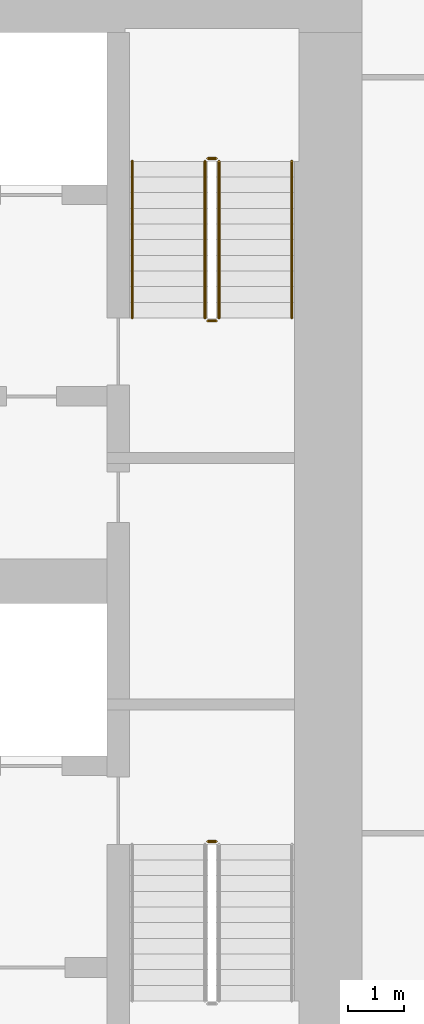
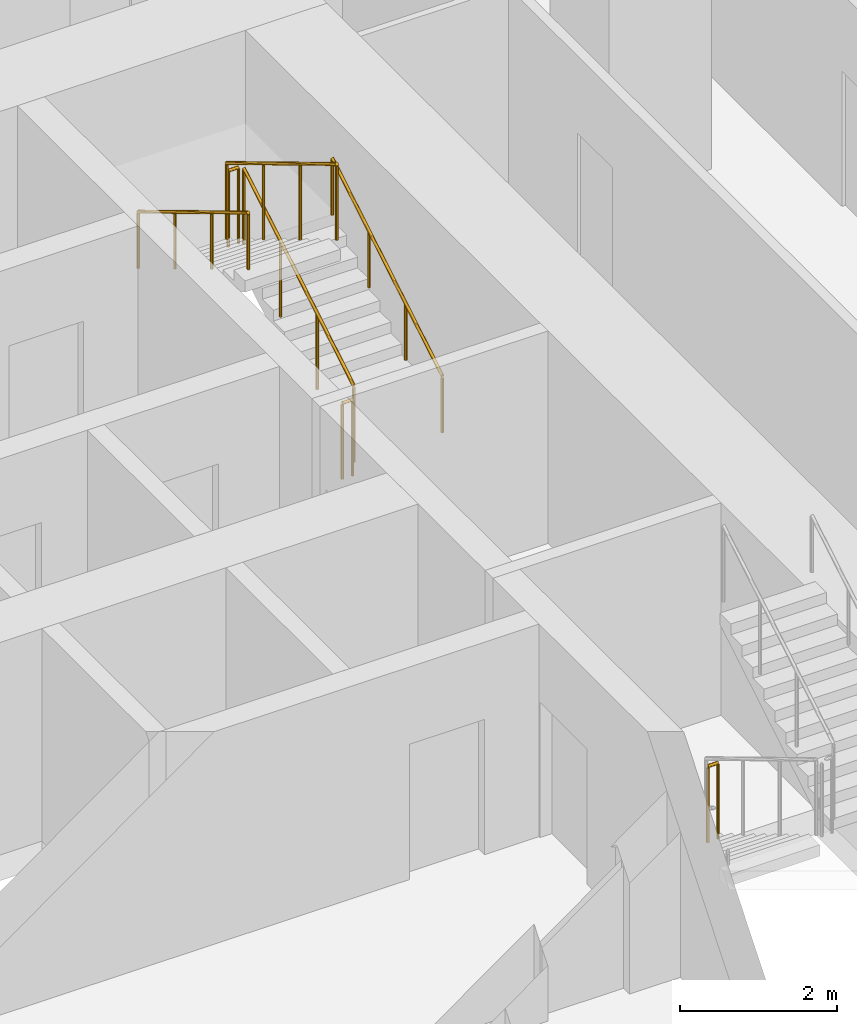
# One storey, part 26 of 27: 7 railings.
"""IFC4 building model written with IfcOpenShell, lengths in metres."""

import ifcopenshell
import ifcopenshell.guid

model = None  # the IFC model being written
_history = None  # IfcOwnerHistory: only IFC2X3 demands one
_inside = {}  # id of a spatial element -> (the spatial element, [elements in it])
_under = {}  # id of a project, library or spatial element -> (it, [spatial elements below it])
_declared = {}  # id of a project -> (the project, [libraries it declares])
_typed = {}  # id of a type object -> (the type object, [elements of that type])
_made_of = {}  # id of a material, layer set ... -> (it, [elements and type objects made of it])


def new_model(schema):
    """Start an empty IFC model of exactly this schema.

    Asked for "IFC4X3", IfcOpenShell would pick the latest addendum, in which some entities
    have other attributes; the version numbers below select the first issue.
    IFC2X3 requires an IfcOwnerHistory on every rooted entity: one is made here for all.
    """
    global model, _history
    if schema == "IFC4X3":
        model = ifcopenshell.file(schema_version=(4, 3, 0, 0))
    else:
        model = ifcopenshell.file(schema=schema)
    _inside.clear()
    _under.clear()
    _declared.clear()
    _typed.clear()
    _made_of.clear()
    _history = None
    if model.schema == "IFC2X3":
        org = make("IfcOrganization", Name="unknown")
        user = make(
            "IfcPersonAndOrganization",
            ThePerson=make("IfcPerson", FamilyName="unknown"),
            TheOrganization=org,
        )
        app = make(
            "IfcApplication",
            ApplicationDeveloper=org,
            Version="unknown",
            ApplicationFullName="unknown",
            ApplicationIdentifier="unknown",
        )
        _history = make(
            "IfcOwnerHistory",
            OwningUser=user,
            OwningApplication=app,
            ChangeAction="ADDED",
            CreationDate=0,
        )
    return model


def make(cls, **values):
    """One entity of the class cls with the attributes given. An attribute that is None is left unset."""
    return model.create_entity(
        cls, **{name: value for name, value in values.items() if value is not None}
    )


def rooted(cls, **values):
    """An entity with a GlobalId (a new one), such as an element, a storey or a relation."""
    return make(cls, GlobalId=ifcopenshell.guid.new(), OwnerHistory=_history, **values)


def si_unit(unit_type, name, prefix=None):
    """IfcSIUnit, for example si_unit("LENGTHUNIT", "METRE", prefix="MILLI")."""
    return make("IfcSIUnit", UnitType=unit_type, Prefix=prefix, Name=name)


def assignment(units):
    """IfcUnitAssignment: the units of a project."""
    return None if units is None else make("IfcUnitAssignment", Units=units)


def point(xyz):
    """IfcCartesianPoint."""
    return None if xyz is None else make("IfcCartesianPoint", Coordinates=xyz)


def direction(xyz):
    """IfcDirection."""
    return None if xyz is None else make("IfcDirection", DirectionRatios=xyz)


def frame(location, z_axis=None, x_axis=None):
    """IfcAxis2Placement3D, a coordinate frame: its origin and axes. An axis left out is left unset."""
    return make(
        "IfcAxis2Placement3D",
        Location=point(location),
        Axis=direction(z_axis),
        RefDirection=direction(x_axis),
    )


def frame_2d(location, x_axis=None):
    """IfcAxis2Placement2D, a coordinate frame in the plane: its origin and x axis."""
    return make(
        "IfcAxis2Placement2D", Location=point(location), RefDirection=direction(x_axis)
    )


def origin():
    """The frame at (0, 0, 0) with its axes left unset."""
    return frame((0.0, 0.0, 0.0))


def origin_2d():
    """The frame at (0, 0) in the plane with its x axis left unset."""
    return frame_2d((0.0, 0.0))


def place(relative_to, where):
    """IfcLocalPlacement: puts the frame where relative to a parent placement (None: the world)."""
    return make(
        "IfcLocalPlacement", PlacementRelTo=relative_to, RelativePlacement=where
    )


def context(
    kind, dimensions, precision=None, world=None, true_north=None, identifier=None
):
    """IfcGeometricRepresentationContext, for example the 3D "Model" context."""
    return make(
        "IfcGeometricRepresentationContext",
        ContextIdentifier=identifier,
        ContextType=kind,
        CoordinateSpaceDimension=dimensions,
        Precision=precision,
        WorldCoordinateSystem=world,
        TrueNorth=true_north,
    )


def subcontext(parent, identifier, kind, view, scale=None):
    """IfcGeometricRepresentationSubContext, for example "Body" below "Model"."""
    return make(
        "IfcGeometricRepresentationSubContext",
        ContextIdentifier=identifier,
        ContextType=kind,
        ParentContext=parent,
        TargetScale=scale,
        TargetView=view,
    )


def project(units=None, contexts=None):
    """IfcProject with its units and contexts."""
    return rooted(
        "IfcProject",
        Name="project",
        RepresentationContexts=contexts,
        UnitsInContext=assignment(units),
    )


def spatial(cls, under=None, at=None, **own):
    """A site, building, storey or space (cls), placed at a placement, below another one or the project."""
    s = rooted(cls, ObjectPlacement=at, **own)
    if under is not None:
        _under.setdefault(under.id(), (under, []))[1].append(s)
    return s


def profile(cls, at=None, kind="AREA", **sizes):
    """A parametric profile (cls). Its sizes go by their IFC names, for example OverallWidth=200.0."""
    return make(cls, ProfileType=kind, Position=at, **sizes)


def circle(**sizes):
    """IfcCircleProfileDef."""
    return profile("IfcCircleProfileDef", **sizes)


def extrude(swept, where, along, depth):
    """IfcExtrudedAreaSolid: the profile swept, set in the frame where, extruded along a direction by depth."""
    return make(
        "IfcExtrudedAreaSolid",
        SweptArea=swept,
        Position=where,
        ExtrudedDirection=direction(along),
        Depth=depth,
    )


def shape(context_of_items, identifier, shape_type, items):
    """IfcShapeRepresentation: the items that make up one representation, for example the "Body"."""
    return make(
        "IfcShapeRepresentation",
        ContextOfItems=context_of_items,
        RepresentationIdentifier=identifier,
        RepresentationType=shape_type,
        Items=items,
    )


def material(Name=None, Category=None):
    """IfcMaterial."""
    return make("IfcMaterial", Name=Name, Category=Category)


def made_of(thing, what):
    """Note that an element or type object is made of a material, layer set ...; save() writes the relation."""
    if what is not None:
        _made_of.setdefault(what.id(), (what, []))[1].append(thing)
    return thing


def type_object(cls, material=None, **own):
    """A type object (cls), such as IfcWallType, which elements share."""
    return made_of(rooted(cls, **own), material)


def element(
    cls,
    number,
    at=None,
    inside=None,
    cuts=None,
    type_object=None,
    material=None,
    context=None,
    identifier="Body",
    shape_type=None,
    held_by="IfcProductDefinitionShape",
    body=None,
    shapes=None,
    **own,
):
    """One element of the class cls, such as IfcWall. Its Tag is "e" and its number.

    at: its placement. inside: the storey or other place that contains it. cuts: it is an
    opening in that element (IfcRelVoidsElement). A single representation is given by context,
    identifier, shape_type and body (its items); several are given by shapes. held_by: the class
    of the entity that holds the representations. save() writes the other relations.
    """
    e = rooted(cls, Tag="e%d" % number, ObjectPlacement=at, **own)
    if body is not None:
        shapes = [shape(context, identifier, shape_type, body)]
    if shapes is not None:
        e.Representation = make(held_by, Representations=shapes)
    if inside is not None:
        _inside.setdefault(inside.id(), (inside, []))[1].append(e)
    if cuts is not None:
        rooted(
            "IfcRelVoidsElement", RelatingBuildingElement=cuts, RelatedOpeningElement=e
        )
    if type_object is not None:
        _typed.setdefault(type_object.id(), (type_object, []))[1].append(e)
    return made_of(e, material)


def aggregate(whole, parts):
    """IfcRelAggregates: a whole, such as a stair, and the parts it consists of."""
    return rooted("IfcRelAggregates", RelatingObject=whole, RelatedObjects=parts)


def save(model, path):
    """Write the relations noted so far, then the file.

    IfcRelAggregates (storeys below a building ...), IfcRelContainedInSpatialStructure (elements
    in a storey), IfcRelDefinesByType, IfcRelAssociatesMaterial and IfcRelDeclares: one each for
    every whole, place, type object, material and project.
    """
    for whole, parts in _under.values():
        aggregate(whole, parts)
    for where, things in _inside.values():
        rooted(
            "IfcRelContainedInSpatialStructure",
            RelatedElements=things,
            RelatingStructure=where,
        )
    for kind, things in _typed.values():
        rooted("IfcRelDefinesByType", RelatedObjects=things, RelatingType=kind)
    for what, things in _made_of.values():
        rooted("IfcRelAssociatesMaterial", RelatedObjects=things, RelatingMaterial=what)
    for by, libraries in _declared.values():
        rooted("IfcRelDeclares", RelatingContext=by, RelatedDefinitions=libraries)
    model.write(path)


model = new_model("IFC4")

# Units and contexts
model_context = context("Model", 3, precision=1e-05, world=origin(), true_north=direction((0.0, 1.0)))
body_context = subcontext(model_context, "Body", "Model", "MODEL_VIEW")
ifc_project = project(units=[si_unit("LENGTHUNIT", "METRE"), si_unit("AREAUNIT", "SQUARE_METRE"), si_unit("VOLUMEUNIT", "CUBIC_METRE"), si_unit("PLANEANGLEUNIT", "RADIAN"), si_unit("MASSUNIT", "GRAM", prefix="KILO")], contexts=[model_context])

# Site, building, storey
site_placement = place(None, origin())
site = spatial("IfcSite", under=ifc_project, at=site_placement, CompositionType="ELEMENT")
building_placement = place(site_placement, origin())
building = spatial("IfcBuilding", under=site, at=building_placement, Name="Dongbaek Canopy Tower", CompositionType="ELEMENT")
storey_placement = place(building_placement, frame((0.0, 0.0, 55.10009765625)))
storey = spatial("IfcBuildingStorey", under=building, at=storey_placement, Name="L09", CompositionType="ELEMENT", Elevation=55.10009765625)

# Railings
ifc_material_1 = material(Name="Stainless steel tube and balusters", Category="steel")
railing_type_1 = type_object("IfcRailingType", Name="Stair guard 1200", PredefinedType="GUARDRAIL", material=ifc_material_1)
railing_1_placement = place(storey_placement, frame((11.449951171875, 4.699951171875, 0.16796875)))
element("IfcRailing", 1, at=railing_1_placement, inside=storey, type_object=railing_type_1, Name="L09 ST-A stair guard 1", PredefinedType="GUARDRAIL", context=body_context, shape_type="SweptSolid", body=[
    extrude(circle(Radius=0.02392578125, at=origin_2d()), frame((0.0, 0.0, 1.17578125), z_axis=(0.0, 0.857242210791, 0.514913383045), x_axis=(-1.0, 0.0, 0.0)), (0.0, 0.0, 1.0), 3.266357421875),
    extrude(circle(Radius=0.02099609375, at=origin_2d()), origin(), (0.0, 0.0, 1.0), 1.15185546875),
    extrude(circle(Radius=0.02099609375, at=origin_2d()), frame((0.0, 0.933349609375, 0.560546875)), (0.0, 0.0, 1.0), 1.15185546875),
    extrude(circle(Radius=0.02099609375, at=origin_2d()), frame((0.0, 1.86669921875, 1.121337890625)), (0.0, 0.0, 1.0), 1.15185546875),
    extrude(circle(Radius=0.02099609375, at=origin_2d()), frame((0.0, 2.800048828125, 1.681884765625)), (0.0, 0.0, 1.0), 1.15185546875),
])
railing_2_placement = place(storey_placement, frame((11.39990234375, 7.550048828125, 1.849853515625)))
element("IfcRailing", 2, at=railing_2_placement, inside=storey, type_object=railing_type_1, Name="L09 ST-A stair guard 2", PredefinedType="GUARDRAIL", context=body_context, shape_type="SweptSolid", body=[
    extrude(circle(Radius=0.02392578125, at=origin_2d()), frame((0.0, 0.0, 1.17578125), z_axis=(-1.0, 0.0, 0.0), x_axis=(0.0, -1.0, 0.0)), (0.0, 0.0, 1.0), 0.14990234375),
    extrude(circle(Radius=0.02099609375, at=origin_2d()), origin(), (0.0, 0.0, 1.0), 1.15185546875),
    extrude(circle(Radius=0.02099609375, at=origin_2d()), frame((-0.14990234375, 0.0, 0.0)), (0.0, 0.0, 1.0), 1.15185546875),
])
railing_3_placement = place(storey_placement, frame((11.199951171875, 7.5, 2.01806640625)))
element("IfcRailing", 3, at=railing_3_placement, inside=storey, type_object=railing_type_1, Name="L09 ST-A stair guard 3", PredefinedType="GUARDRAIL", context=body_context, shape_type="SweptSolid", body=[
    extrude(circle(Radius=0.02392578125, at=origin_2d()), frame((0.0, 0.0, 1.17578125), z_axis=(0.0, -0.857242210791, 0.514913383045), x_axis=(1.0, 0.0, 0.0)), (0.0, 0.0, 1.0), 3.266357421875),
    extrude(circle(Radius=0.02099609375, at=origin_2d()), origin(), (0.0, 0.0, 1.0), 1.15185546875),
    extrude(circle(Radius=0.02099609375, at=origin_2d()), frame((0.0, -0.933349609375, 0.560546875)), (0.0, 0.0, 1.0), 1.15185546875),
    extrude(circle(Radius=0.02099609375, at=origin_2d()), frame((0.0, -1.86669921875, 1.121337890625)), (0.0, 0.0, 1.0), 1.15185546875),
    extrude(circle(Radius=0.02099609375, at=origin_2d()), frame((0.0, -2.800048828125, 1.681884765625)), (0.0, 0.0, 1.0), 1.15185546875),
])
railing_4_placement = place(storey_placement, frame((11.39990234375, 4.64990234375, 0.0)))
element("IfcRailing", 4, at=railing_4_placement, inside=storey, type_object=railing_type_1, Name="L09 ST-A stair guard 4", PredefinedType="GUARDRAIL", context=body_context, shape_type="SweptSolid", body=[
    extrude(circle(Radius=0.02392578125, at=origin_2d()), frame((0.0, 0.0, 1.17578125), z_axis=(-1.0, 0.0, 0.0), x_axis=(0.0, -1.0, 0.0)), (0.0, 0.0, 1.0), 0.14990234375),
    extrude(circle(Radius=0.02099609375, at=origin_2d()), origin(), (0.0, 0.0, 1.0), 1.15185546875),
    extrude(circle(Radius=0.02099609375, at=origin_2d()), frame((-0.14990234375, 0.0, 0.0)), (0.0, 0.0, 1.0), 1.15185546875),
])
railing_5_placement = place(storey_placement, frame((11.25, -4.64990234375, 0.0)))
element("IfcRailing", 5, at=railing_5_placement, inside=storey, type_object=railing_type_1, Name="L09 ST-B stair guard 4", PredefinedType="GUARDRAIL", context=body_context, shape_type="SweptSolid", body=[
    extrude(circle(Radius=0.02392578125, at=origin_2d()), frame((0.0, 0.0, 1.17578125), z_axis=(1.0, 0.0, 0.0), x_axis=(0.0, 1.0, 0.0)), (0.0, 0.0, 1.0), 0.14990234375),
    extrude(circle(Radius=0.02099609375, at=origin_2d()), origin(), (0.0, 0.0, 1.0), 1.15185546875),
    extrude(circle(Radius=0.02099609375, at=origin_2d()), frame((0.14990234375, 0.0, 0.0)), (0.0, 0.0, 1.0), 1.15185546875),
])
ifc_material_2 = material(Name="Stainless steel tube", Category="steel")
railing_type_2 = type_object("IfcRailingType", Name="Stair handrail 900", PredefinedType="HANDRAIL", material=ifc_material_2)
railing_6_placement = place(storey_placement, frame((12.75, 4.699951171875, 0.16796875)))
element("IfcRailing", 6, at=railing_6_placement, inside=storey, type_object=railing_type_2, Name="L09 ST-A stair handrail 1", PredefinedType="HANDRAIL", context=body_context, shape_type="SweptSolid", body=[
    extrude(circle(Radius=0.02392578125, at=origin_2d()), frame((0.0, 0.0, 0.8759765625), z_axis=(0.0, 0.857242210791, 0.514913383045), x_axis=(-1.0, 0.0, 0.0)), (0.0, 0.0, 1.0), 3.266357421875),
    extrude(circle(Radius=0.02099609375, at=origin_2d()), origin(), (0.0, 0.0, 1.0), 0.851806640625),
    extrude(circle(Radius=0.02099609375, at=origin_2d()), frame((0.0, 0.933349609375, 0.560546875)), (0.0, 0.0, 1.0), 0.851806640625),
    extrude(circle(Radius=0.02099609375, at=origin_2d()), frame((0.0, 1.86669921875, 1.121337890625)), (0.0, 0.0, 1.0), 0.851806640625),
    extrude(circle(Radius=0.02099609375, at=origin_2d()), frame((0.0, 2.800048828125, 1.681884765625)), (0.0, 0.0, 1.0), 0.851806640625),
])
railing_7_placement = place(storey_placement, frame((9.89990234375, 7.5, 2.01806640625)))
element("IfcRailing", 7, at=railing_7_placement, inside=storey, type_object=railing_type_2, Name="L09 ST-A stair handrail 2", PredefinedType="HANDRAIL", context=body_context, shape_type="SweptSolid", body=[
    extrude(circle(Radius=0.02392578125, at=origin_2d()), frame((0.0, 0.0, 0.8759765625), z_axis=(0.0, -0.857242210791, 0.514913383045), x_axis=(1.0, 0.0, 0.0)), (0.0, 0.0, 1.0), 3.266357421875),
    extrude(circle(Radius=0.02099609375, at=origin_2d()), origin(), (0.0, 0.0, 1.0), 0.851806640625),
    extrude(circle(Radius=0.02099609375, at=origin_2d()), frame((0.0, -0.933349609375, 0.560546875)), (0.0, 0.0, 1.0), 0.851806640625),
    extrude(circle(Radius=0.02099609375, at=origin_2d()), frame((0.0, -1.86669921875, 1.121337890625)), (0.0, 0.0, 1.0), 0.851806640625),
    extrude(circle(Radius=0.02099609375, at=origin_2d()), frame((0.0, -2.800048828125, 1.681884765625)), (0.0, 0.0, 1.0), 0.851806640625),
])

save(model, "model.ifc")
